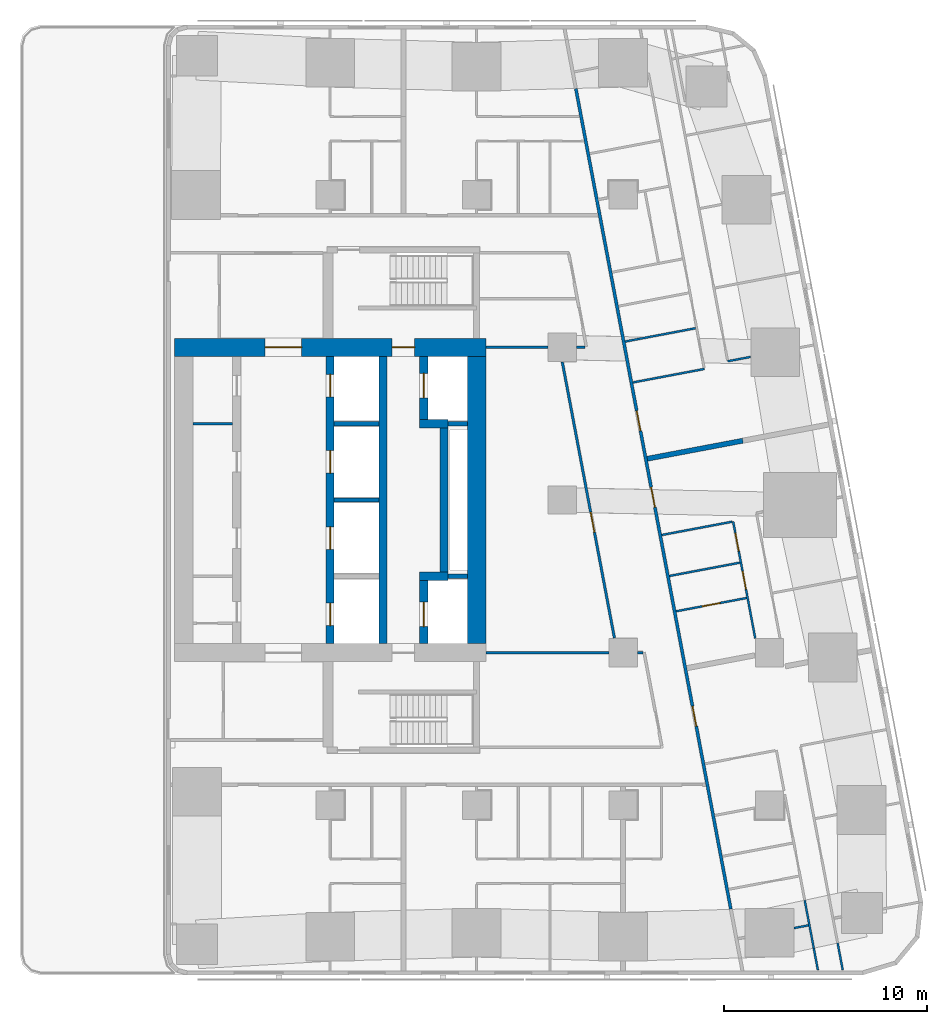
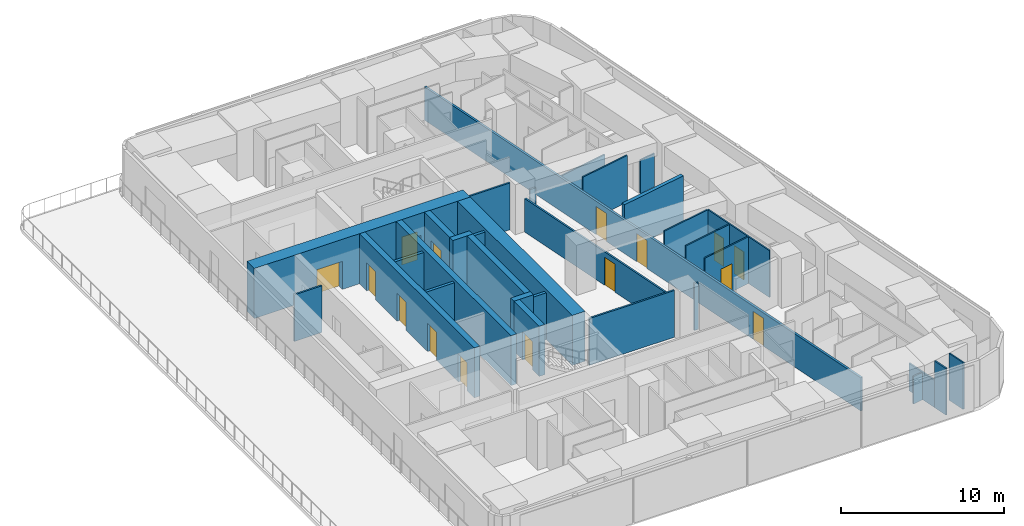
# One storey, part 4 of 11: 32 walls, 15 doors, 15 openings.
"""IFC4 building model written with IfcOpenShell, lengths in metres."""

from ifc_helpers import new_model, si_unit, direction, frame, frame_2d, origin, place, context, subcontext, project, spatial, rectangle, extrude, material, layer, layer_set, type_object, element, fill, save


model = new_model("IFC4")

# Units and contexts
model_context = context("Model", 3, precision=1e-05, world=origin(), true_north=direction((0.0, 1.0)))
body_context = subcontext(model_context, "Body", "Model", "MODEL_VIEW")
ifc_project = project(units=[si_unit("LENGTHUNIT", "METRE"), si_unit("AREAUNIT", "SQUARE_METRE"), si_unit("VOLUMEUNIT", "CUBIC_METRE"), si_unit("PLANEANGLEUNIT", "RADIAN"), si_unit("MASSUNIT", "GRAM", prefix="KILO")], contexts=[model_context])

# Site, building, storey
site_placement = place(None, origin())
site = spatial("IfcSite", under=ifc_project, at=site_placement, CompositionType="ELEMENT")
building_placement = place(site_placement, origin())
building = spatial("IfcBuilding", under=site, at=building_placement, Name="Sheger Commons Tower", CompositionType="ELEMENT")
storey_placement = place(building_placement, frame((0.0, 0.0, 223.699951171875)))
storey = spatial("IfcBuildingStorey", under=building, at=storey_placement, Name="L57", CompositionType="ELEMENT", Elevation=223.699951171875)

# Wall, openings, doors
ifc_material_1 = material(Name="Concrete C50/60", Category="concrete")
ifc_layer_1 = layer(ifc_material_1, 0.39990234375)
ifc_layer_set_1 = layer_set([ifc_layer_1], Name="CORE INNER WALL 400")
wall_type_1 = type_object("IfcWallType", Name="CORE INNER WALL 400", PredefinedType="SHEAR", material=ifc_layer_set_1)
wall_1_placement = place(storey_placement, frame((21.60009765625, 15.449951171875, 0.0), z_axis=(0.0, 0.0, 1.0), x_axis=(0.0, 1.0, 0.0)))
wall_1 = element("IfcWall", 1, at=wall_1_placement, inside=storey, type_object=wall_type_1, Name="Core inner wall L L57", PredefinedType="SHEAR", context=body_context, shape_type="SweptSolid", body=[
    extrude(rectangle(XDim=14.10009765625, YDim=0.39990234375, at=frame_2d((7.050048828125, 0.0))), origin(), (0.0, 0.0, 1.0), 3.75),
])
opening_1_placement = place(wall_1_placement, frame((0.875, 0.0, 0.0)))
opening_1 = element("IfcOpeningElement", 2, at=opening_1_placement, cuts=wall_1, Name="Opening LD", PredefinedType="OPENING", context=body_context, shape_type="SweptSolid", body=[
    extrude(rectangle(XDim=1.10009765625, YDim=2.10009765625, at=frame_2d((0.550048828125, 1.050048828125))), frame((0.0, 0.2099609375, 0.0), z_axis=(0.0, -1.0, 0.0), x_axis=(1.0, 0.0, 0.0)), (0.0, 0.0, 1.0), 0.419921875),
])
opening_2_placement = place(wall_1_placement, frame((4.625, 0.0, 0.0)))
opening_2 = element("IfcOpeningElement", 3, at=opening_2_placement, cuts=wall_1, Name="Opening LD", PredefinedType="OPENING", context=body_context, shape_type="SweptSolid", body=[
    extrude(rectangle(XDim=1.10009765625, YDim=2.10009765625, at=frame_2d((0.550048828125, 1.050048828125))), frame((0.0, 0.2099609375, 0.0), z_axis=(0.0, -1.0, 0.0), x_axis=(1.0, 0.0, 0.0)), (0.0, 0.0, 1.0), 0.419921875),
])
opening_3_placement = place(wall_1_placement, frame((8.375, 0.0, 0.0)))
opening_3 = element("IfcOpeningElement", 4, at=opening_3_placement, cuts=wall_1, Name="Opening LD", PredefinedType="OPENING", context=body_context, shape_type="SweptSolid", body=[
    extrude(rectangle(XDim=1.10009765625, YDim=2.10009765625, at=frame_2d((0.550048828125, 1.050048828125))), frame((0.0, 0.2099609375, 0.0), z_axis=(0.0, -1.0, 0.0), x_axis=(1.0, 0.0, 0.0)), (0.0, 0.0, 1.0), 0.419921875),
])
opening_4_placement = place(wall_1_placement, frame((12.125, 0.0, 0.0)))
opening_4 = element("IfcOpeningElement", 5, at=opening_4_placement, cuts=wall_1, Name="Opening LD", PredefinedType="OPENING", context=body_context, shape_type="SweptSolid", body=[
    extrude(rectangle(XDim=1.10009765625, YDim=2.10009765625, at=frame_2d((0.550048828125, 1.050048828125))), frame((0.0, 0.2099609375, 0.0), z_axis=(0.0, -1.0, 0.0), x_axis=(1.0, 0.0, 0.0)), (0.0, 0.0, 1.0), 0.419921875),
])
ifc_material_2 = material(Name="Steel door set, fire rated", Category="steel")
door_type_1 = type_object("IfcDoorType", Name="LIFT LANDING DOOR 1100x2100", OperationType="DOUBLE_DOOR_SLIDING", PredefinedType="DOOR", material=ifc_material_2)
door_1_placement = place(opening_1_placement, origin())
door_1 = element("IfcDoor", 6, at=door_1_placement, inside=storey, type_object=door_type_1, Name="Lift LB1 landing door", OperationType="DOUBLE_DOOR_SLIDING", OverallHeight=2.10009765625, OverallWidth=1.10009765625, PredefinedType="DOOR", context=body_context, shape_type="SweptSolid", body=[
    extrude(rectangle(XDim=1.10009765625, YDim=2.10009765625, at=frame_2d((0.550048828125, 1.050048828125))), frame((0.0, 0.02490234375, 0.0), z_axis=(0.0, -1.0, 0.0), x_axis=(1.0, 0.0, 0.0)), (0.0, 0.0, 1.0), 0.050048828125),
])
fill(opening_1, door_1)
door_2_placement = place(opening_2_placement, origin())
door_2 = element("IfcDoor", 7, at=door_2_placement, inside=storey, type_object=door_type_1, Name="Lift LB2 landing door", OperationType="DOUBLE_DOOR_SLIDING", OverallHeight=2.10009765625, OverallWidth=1.10009765625, PredefinedType="DOOR", context=body_context, shape_type="SweptSolid", body=[
    extrude(rectangle(XDim=1.10009765625, YDim=2.10009765625, at=frame_2d((0.550048828125, 1.050048828125))), frame((0.0, 0.02490234375, 0.0), z_axis=(0.0, -1.0, 0.0), x_axis=(1.0, 0.0, 0.0)), (0.0, 0.0, 1.0), 0.050048828125),
])
fill(opening_2, door_2)
door_3_placement = place(opening_3_placement, origin())
door_3 = element("IfcDoor", 8, at=door_3_placement, inside=storey, type_object=door_type_1, Name="Lift LB3 landing door", OperationType="DOUBLE_DOOR_SLIDING", OverallHeight=2.10009765625, OverallWidth=1.10009765625, PredefinedType="DOOR", context=body_context, shape_type="SweptSolid", body=[
    extrude(rectangle(XDim=1.10009765625, YDim=2.10009765625, at=frame_2d((0.550048828125, 1.050048828125))), frame((0.0, 0.02490234375, 0.0), z_axis=(0.0, -1.0, 0.0), x_axis=(1.0, 0.0, 0.0)), (0.0, 0.0, 1.0), 0.050048828125),
])
fill(opening_3, door_3)
door_4_placement = place(opening_4_placement, origin())
door_4 = element("IfcDoor", 9, at=door_4_placement, inside=storey, type_object=door_type_1, Name="Lift LB4 landing door", OperationType="DOUBLE_DOOR_SLIDING", OverallHeight=2.10009765625, OverallWidth=1.10009765625, PredefinedType="DOOR", context=body_context, shape_type="SweptSolid", body=[
    extrude(rectangle(XDim=1.10009765625, YDim=2.10009765625, at=frame_2d((0.550048828125, 1.050048828125))), frame((0.0, 0.02490234375, 0.0), z_axis=(0.0, -1.0, 0.0), x_axis=(1.0, 0.0, 0.0)), (0.0, 0.0, 1.0), 0.050048828125),
])
fill(opening_4, door_4)

# Wall
wall_2_placement = place(storey_placement, frame((24.199951171875, 15.449951171875, 0.0), z_axis=(0.0, 0.0, 1.0), x_axis=(0.0, 1.0, 0.0)))
element("IfcWall", 10, at=wall_2_placement, inside=storey, type_object=wall_type_1, Name="Core inner wall B L57", PredefinedType="SHEAR", context=body_context, shape_type="SweptSolid", body=[
    extrude(rectangle(XDim=14.10009765625, YDim=0.39990234375, at=frame_2d((7.050048828125, 0.0))), origin(), (0.0, 0.0, 1.0), 3.75),
])

# Wall, opening, door
wall_3_placement = place(storey_placement, frame((26.199951171875, 15.449951171875, 0.0), z_axis=(0.0, 0.0, 1.0), x_axis=(0.0, 1.0, 0.0)))
wall_3 = element("IfcWall", 11, at=wall_3_placement, inside=storey, type_object=wall_type_1, Name="Core inner wall F L57", PredefinedType="SHEAR", context=body_context, shape_type="SweptSolid", body=[
    extrude(rectangle(XDim=3.10009765625, YDim=0.39990234375, at=frame_2d((1.550048828125, 0.0))), origin(), (0.0, 0.0, 1.0), 3.75),
])
opening_5_placement = place(wall_3_placement, frame((0.824951171875, 0.0, 0.0)))
opening_5 = element("IfcOpeningElement", 12, at=opening_5_placement, cuts=wall_3, Name="Opening LD2", PredefinedType="OPENING", context=body_context, shape_type="SweptSolid", body=[
    extrude(rectangle(XDim=1.199951171875, YDim=2.10009765625, at=frame_2d((0.60009765625, 1.050048828125))), frame((0.0, 0.2099609375, 0.0), z_axis=(0.0, -1.0, 0.0), x_axis=(1.0, 0.0, 0.0)), (0.0, 0.0, 1.0), 0.419921875),
])
ifc_material_3 = material(Name="Steel door set, fire rated", Category="steel")
door_type_2 = type_object("IfcDoorType", Name="FIREFIGHTING LIFT LANDING DOOR 1200x2100", OperationType="DOUBLE_DOOR_SLIDING", PredefinedType="DOOR", material=ifc_material_3)
door_5_placement = place(opening_5_placement, origin())
door_5 = element("IfcDoor", 13, at=door_5_placement, inside=storey, type_object=door_type_2, Name="Lift FL1 landing door", OperationType="DOUBLE_DOOR_SLIDING", OverallHeight=2.10009765625, OverallWidth=1.199951171875, PredefinedType="DOOR", context=body_context, shape_type="SweptSolid", body=[
    extrude(rectangle(XDim=1.199951171875, YDim=2.10009765625, at=frame_2d((0.60009765625, 1.050048828125))), frame((0.0, 0.02490234375, 0.0), z_axis=(0.0, -1.0, 0.0), x_axis=(1.0, 0.0, 0.0)), (0.0, 0.0, 1.0), 0.050048828125),
])
fill(opening_5, door_5)

# Walls
wall_4_placement = place(storey_placement, frame((26.0, 18.75, 0.0), z_axis=(0.0, 0.0, 1.0), x_axis=(1.0, 0.0, 0.0)))
element("IfcWall", 14, at=wall_4_placement, inside=storey, type_object=wall_type_1, Name="Core inner wall F south return L57", PredefinedType="SHEAR", context=body_context, shape_type="SweptSolid", body=[
    extrude(rectangle(XDim=1.39990234375, YDim=0.39990234375, at=frame_2d((0.699951171875, 0.0))), origin(), (0.0, 0.0, 1.0), 3.75),
])
wall_5_placement = place(storey_placement, frame((27.199951171875, 18.949951171875, 0.0), z_axis=(0.0, 0.0, 1.0), x_axis=(0.0, 1.0, 0.0)))
element("IfcWall", 15, at=wall_5_placement, inside=storey, type_object=wall_type_1, Name="Core inner wall F middle L57", PredefinedType="SHEAR", context=body_context, shape_type="SweptSolid", body=[
    extrude(rectangle(XDim=7.10009765625, YDim=0.39990234375, at=frame_2d((3.550048828125, 0.0))), origin(), (0.0, 0.0, 1.0), 3.75),
])
wall_6_placement = place(storey_placement, frame((26.0, 26.25, 0.0), z_axis=(0.0, 0.0, 1.0), x_axis=(1.0, 0.0, 0.0)))
element("IfcWall", 16, at=wall_6_placement, inside=storey, type_object=wall_type_1, Name="Core inner wall F north return L57", PredefinedType="SHEAR", context=body_context, shape_type="SweptSolid", body=[
    extrude(rectangle(XDim=1.39990234375, YDim=0.39990234375, at=frame_2d((0.699951171875, 0.0))), origin(), (0.0, 0.0, 1.0), 3.75),
])

# Wall, opening, door
wall_7_placement = place(storey_placement, frame((26.199951171875, 26.449951171875, 0.0), z_axis=(0.0, 0.0, 1.0), x_axis=(0.0, 1.0, 0.0)))
wall_7 = element("IfcWall", 17, at=wall_7_placement, inside=storey, type_object=wall_type_1, Name="Core inner wall F north L57", PredefinedType="SHEAR", context=body_context, shape_type="SweptSolid", body=[
    extrude(rectangle(XDim=3.10009765625, YDim=0.39990234375, at=frame_2d((1.550048828125, 0.0))), origin(), (0.0, 0.0, 1.0), 3.75),
])
opening_6_placement = place(wall_7_placement, frame((1.074951171875, 0.0, 0.0)))
opening_6 = element("IfcOpeningElement", 18, at=opening_6_placement, cuts=wall_7, Name="Opening LD2", PredefinedType="OPENING", context=body_context, shape_type="SweptSolid", body=[
    extrude(rectangle(XDim=1.199951171875, YDim=2.10009765625, at=frame_2d((0.60009765625, 1.050048828125))), frame((0.0, 0.2099609375, 0.0), z_axis=(0.0, -1.0, 0.0), x_axis=(1.0, 0.0, 0.0)), (0.0, 0.0, 1.0), 0.419921875),
])
door_6_placement = place(opening_6_placement, origin())
door_6 = element("IfcDoor", 19, at=door_6_placement, inside=storey, type_object=door_type_2, Name="Lift FL2 landing door", OperationType="DOUBLE_DOOR_SLIDING", OverallHeight=2.10009765625, OverallWidth=1.199951171875, PredefinedType="DOOR", context=body_context, shape_type="SweptSolid", body=[
    extrude(rectangle(XDim=1.199951171875, YDim=2.10009765625, at=frame_2d((0.60009765625, 1.050048828125))), frame((0.0, 0.02490234375, 0.0), z_axis=(0.0, -1.0, 0.0), x_axis=(1.0, 0.0, 0.0)), (0.0, 0.0, 1.0), 0.050048828125),
])
fill(opening_6, door_6)

# Wall, openings, doors
ifc_material_4 = material(Name="Concrete C50/60", Category="concrete")
ifc_layer_2 = layer(ifc_material_4, 0.89990234375)
ifc_layer_set_2 = layer_set([ifc_layer_2], Name="CORE WALL 900")
wall_type_2 = type_object("IfcWallType", Name="CORE WALL 900", PredefinedType="SHEAR", material=ifc_layer_set_2)
wall_8_placement = place(storey_placement, frame((13.949951171875, 30.0, 0.0), z_axis=(0.0, 0.0, 1.0), x_axis=(1.0, 0.0, 0.0)))
wall_8 = element("IfcWall", 20, at=wall_8_placement, inside=storey, type_object=wall_type_2, Name="Core wall north L57", PredefinedType="SHEAR", context=body_context, shape_type="SweptSolid", body=[
    extrude(rectangle(XDim=15.300048828125, YDim=0.89990234375, at=frame_2d((7.64990234375, 0.0))), origin(), (0.0, 0.0, 1.0), 3.75),
])
opening_7_placement = place(wall_8_placement, frame((4.449951171875, 0.0, 0.0)))
opening_7 = element("IfcOpeningElement", 21, at=opening_7_placement, cuts=wall_8, Name="Opening D6", PredefinedType="OPENING", context=body_context, shape_type="SweptSolid", body=[
    extrude(rectangle(XDim=1.800048828125, YDim=2.10009765625, at=frame_2d((0.89990234375, 1.050048828125))), frame((0.0, 0.4599609375, 0.0), z_axis=(0.0, -1.0, 0.0), x_axis=(1.0, 0.0, 0.0)), (0.0, 0.0, 1.0), 0.919921875),
])
opening_8_placement = place(wall_8_placement, frame((10.699951171875, 0.0, 0.0)))
opening_8 = element("IfcOpeningElement", 22, at=opening_8_placement, cuts=wall_8, Name="Opening D5", PredefinedType="OPENING", context=body_context, shape_type="SweptSolid", body=[
    extrude(rectangle(XDim=1.10009765625, YDim=2.10009765625, at=frame_2d((0.550048828125, 1.050048828125))), frame((0.0, 0.4599609375, 0.0), z_axis=(0.0, -1.0, 0.0), x_axis=(1.0, 0.0, 0.0)), (0.0, 0.0, 1.0), 0.919921875),
])
ifc_material_5 = material(Name="Steel door set, fire rated", Category="steel")
door_type_3 = type_object("IfcDoorType", Name="LOBBY DOUBLE DOOR 1800x2100", OperationType="DOUBLE_DOOR_SINGLE_SWING", PredefinedType="DOOR", material=ifc_material_5)
door_7_placement = place(opening_7_placement, origin())
door_7 = element("IfcDoor", 23, at=door_7_placement, inside=storey, type_object=door_type_3, Name="Lift lobby door", OperationType="DOUBLE_DOOR_SINGLE_SWING", OverallHeight=2.10009765625, OverallWidth=1.800048828125, PredefinedType="DOOR", context=body_context, shape_type="SweptSolid", body=[
    extrude(rectangle(XDim=1.800048828125, YDim=2.10009765625, at=frame_2d((0.89990234375, 1.050048828125))), frame((0.0, 0.02490234375, 0.0), z_axis=(0.0, -1.0, 0.0), x_axis=(1.0, 0.0, 0.0)), (0.0, 0.0, 1.0), 0.050048828125),
])
fill(opening_7, door_7)
ifc_material_6 = material(Name="Steel door set, fire rated", Category="steel")
door_type_4 = type_object("IfcDoorType", Name="STAIR DOOR 1100x2100", OperationType="NOTDEFINED", PredefinedType="DOOR", material=ifc_material_6)
door_8_placement = place(opening_8_placement, origin())
door_8 = element("IfcDoor", 24, at=door_8_placement, inside=storey, type_object=door_type_4, Name="Fire-fighting lobby door", OperationType="SINGLE_SWING_LEFT", OverallHeight=2.10009765625, OverallWidth=1.10009765625, PredefinedType="DOOR", context=body_context, shape_type="SweptSolid", body=[
    extrude(rectangle(XDim=1.10009765625, YDim=2.10009765625, at=frame_2d((0.550048828125, 1.050048828125))), frame((0.0, 0.02490234375, 0.0), z_axis=(0.0, -1.0, 0.0), x_axis=(1.0, 0.0, 0.0)), (0.0, 0.0, 1.0), 0.050048828125),
])
fill(opening_8, door_8)

# Wall
wall_9_placement = place(storey_placement, frame((28.800048828125, 15.449951171875, 0.0), z_axis=(0.0, 0.0, 1.0), x_axis=(0.0, 1.0, 0.0)))
element("IfcWall", 25, at=wall_9_placement, inside=storey, type_object=wall_type_2, Name="Core wall east L57", PredefinedType="SHEAR", context=body_context, shape_type="SweptSolid", body=[
    extrude(rectangle(XDim=14.10009765625, YDim=0.89990234375, at=frame_2d((7.050048828125, 0.0))), origin(), (0.0, 0.0, 1.0), 3.75),
])

# Wall, openings, doors
ifc_material_7 = material(Name="Hollow concrete block masonry, skimmed both sides", Category="masonry")
ifc_layer_3 = layer(ifc_material_7, 0.14990234375)
ifc_layer_set_3 = layer_set([ifc_layer_3], Name="CORRIDOR WALL 150")
wall_type_3 = type_object("IfcWallType", Name="CORRIDOR WALL 150", PredefinedType="SOLIDWALL", material=ifc_layer_set_3)
wall_10_placement = place(storey_placement, frame((33.679931640625, 42.722900390625, 0.0), z_axis=(0.0, 0.0, 1.0), x_axis=(0.185601160014, -0.982625162207, 0.0)))
wall_10 = element("IfcWall", 26, at=wall_10_placement, inside=storey, type_object=wall_type_3, Name="Corridor wall L57", PredefinedType="SOLIDWALL", context=body_context, shape_type="SweptSolid", body=[
    extrude(rectangle(XDim=41.05126953125, YDim=0.14990234375, at=frame_2d((20.525634765625, 0.0))), origin(), (0.0, 0.0, 1.0), 2.5),
])
opening_9_placement = place(wall_10_placement, frame((16.123046875, 0.0, 0.0)))
opening_9 = element("IfcOpeningElement", 27, at=opening_9_placement, cuts=wall_10, Name="Opening D1", PredefinedType="OPENING", context=body_context, shape_type="SweptSolid", body=[
    extrude(rectangle(XDim=1.0, YDim=2.10009765625, at=frame_2d((0.5, 1.050048828125))), frame((0.0, 0.0849609375, 0.0), z_axis=(0.0, -1.0, 0.0), x_axis=(1.0, 0.0, 0.0)), (0.0, 0.0, 1.0), 0.169921875),
])
opening_10_placement = place(wall_10_placement, frame((19.93798828125, 0.0, 0.0)))
opening_10 = element("IfcOpeningElement", 28, at=opening_10_placement, cuts=wall_10, Name="Opening D1", PredefinedType="OPENING", context=body_context, shape_type="SweptSolid", body=[
    extrude(rectangle(XDim=1.0, YDim=2.10009765625, at=frame_2d((0.5, 1.050048828125))), frame((0.0, 0.0849609375, 0.0), z_axis=(0.0, -1.0, 0.0), x_axis=(1.0, 0.0, 0.0)), (0.0, 0.0, 1.0), 0.169921875),
])
opening_11_placement = place(wall_10_placement, frame((30.902099609375, 0.0, 0.0)))
opening_11 = element("IfcOpeningElement", 29, at=opening_11_placement, cuts=wall_10, Name="Opening D1", PredefinedType="OPENING", context=body_context, shape_type="SweptSolid", body=[
    extrude(rectangle(XDim=1.0, YDim=2.10009765625, at=frame_2d((0.5, 1.050048828125))), frame((0.0, 0.0849609375, 0.0), z_axis=(0.0, -1.0, 0.0), x_axis=(1.0, 0.0, 0.0)), (0.0, 0.0, 1.0), 0.169921875),
])
ifc_material_8 = material(Name="Steel door set, fire rated", Category="steel")
door_type_5 = type_object("IfcDoorType", Name="FLAT ENTRANCE DOOR 1000x2100", OperationType="NOTDEFINED", PredefinedType="DOOR", material=ifc_material_8)
door_9_placement = place(opening_9_placement, origin())
door_9 = element("IfcDoor", 30, at=door_9_placement, inside=storey, type_object=door_type_5, Name="Flat entrance door", OperationType="SINGLE_SWING_LEFT", OverallHeight=2.10009765625, OverallWidth=1.0, PredefinedType="DOOR", context=body_context, shape_type="SweptSolid", body=[
    extrude(rectangle(XDim=1.0, YDim=2.10009765625, at=frame_2d((0.5, 1.050048828125))), frame((0.0, 0.02490234375, 0.0), z_axis=(0.0, -1.0, 0.0), x_axis=(1.0, 0.0, 0.0)), (0.0, 0.0, 1.0), 0.050048828125),
])
fill(opening_9, door_9)
door_10_placement = place(opening_10_placement, origin())
door_10 = element("IfcDoor", 31, at=door_10_placement, inside=storey, type_object=door_type_5, Name="Flat entrance door", OperationType="SINGLE_SWING_RIGHT", OverallHeight=2.10009765625, OverallWidth=1.0, PredefinedType="DOOR", context=body_context, shape_type="SweptSolid", body=[
    extrude(rectangle(XDim=1.0, YDim=2.10009765625, at=frame_2d((0.5, 1.050048828125))), frame((0.0, 0.02490234375, 0.0), z_axis=(0.0, -1.0, 0.0), x_axis=(1.0, 0.0, 0.0)), (0.0, 0.0, 1.0), 0.050048828125),
])
fill(opening_10, door_10)
door_11_placement = place(opening_11_placement, origin())
door_11 = element("IfcDoor", 32, at=door_11_placement, inside=storey, type_object=door_type_5, Name="Flat entrance door", OperationType="SINGLE_SWING_LEFT", OverallHeight=2.10009765625, OverallWidth=1.0, PredefinedType="DOOR", context=body_context, shape_type="SweptSolid", body=[
    extrude(rectangle(XDim=1.0, YDim=2.10009765625, at=frame_2d((0.5, 1.050048828125))), frame((0.0, 0.02490234375, 0.0), z_axis=(0.0, -1.0, 0.0), x_axis=(1.0, 0.0, 0.0)), (0.0, 0.0, 1.0), 0.050048828125),
])
fill(opening_11, door_11)

# Walls
ifc_material_9 = material(Name="Dense concrete block masonry, plastered both sides (separating wall between flats)", Category="masonry")
ifc_layer_4 = layer(ifc_material_9, 0.25)
ifc_layer_set_4 = layer_set([ifc_layer_4], Name="DEMISING WALL 250")
wall_type_4 = type_object("IfcWallType", Name="DEMISING WALL 250", PredefinedType="SOLIDWALL", material=ifc_layer_set_4)
wall_11_placement = place(storey_placement, frame((41.885009765625, 25.4150390625, 0.0), z_axis=(0.0, 0.0, 1.0), x_axis=(-0.982596737686, -0.185751584349, 0.0)))
element("IfcWall", 33, at=wall_11_placement, inside=storey, type_object=wall_type_4, Name="Demising wall L57", PredefinedType="SOLIDWALL", context=body_context, shape_type="SweptSolid", body=[
    extrude(rectangle(XDim=4.77490234375, YDim=0.25, at=frame_2d((2.387451171875, 0.0))), origin(), (0.0, 0.0, 1.0), 3.5),
])
ifc_material_10 = material(Name="Gypsum board on steel studs", Category="steel")
ifc_layer_5 = layer(ifc_material_10, 0.10009765625)
ifc_layer_set_5 = layer_set([ifc_layer_5], Name="PARTITION 100")
wall_type_5 = type_object("IfcWallType", Name="PARTITION 100", PredefinedType="PARTITIONING", material=ifc_layer_set_5)
wall_12_placement = place(storey_placement, frame((42.27001953125, 29.534912109375, 0.0), z_axis=(0.0, 0.0, 1.0), x_axis=(-0.982502700549, -0.186248338017, 0.0)))
element("IfcWall", 34, at=wall_12_placement, inside=storey, type_object=wall_type_5, Name="Partition L57", PredefinedType="PARTITIONING", context=body_context, shape_type="SweptSolid", body=[
    extrude(rectangle(XDim=1.14306640625, YDim=0.10009765625, at=frame_2d((0.571533203125, 0.0))), origin(), (0.0, 0.0, 1.0), 2.5),
])
wall_13_placement = place(storey_placement, frame((39.9970703125, 28.94189453125, 0.0), z_axis=(0.0, 0.0, 1.0), x_axis=(-0.982613029841, -0.185665380691, 0.0)))
element("IfcWall", 35, at=wall_13_placement, inside=storey, type_object=wall_type_5, Name="Partition L57", PredefinedType="PARTITIONING", context=body_context, shape_type="SweptSolid", body=[
    extrude(rectangle(XDim=3.575439453125, YDim=0.10009765625, at=frame_2d((1.78759765625, 0.0))), origin(), (0.0, 0.0, 1.0), 3.5),
])
wall_14_placement = place(storey_placement, frame((39.56689453125, 30.947021484375, 0.0), z_axis=(0.0, 0.0, 1.0), x_axis=(-0.982576058723, -0.185860939478, 0.0)))
element("IfcWall", 36, at=wall_14_placement, inside=storey, type_object=wall_type_5, Name="Partition L57", PredefinedType="PARTITIONING", context=body_context, shape_type="SweptSolid", body=[
    extrude(rectangle(XDim=3.5244140625, YDim=0.10009765625, at=frame_2d((1.76220703125, 0.0))), origin(), (0.0, 0.0, 1.0), 2.5),
])

# Wall, openings, doors
wall_15_placement = place(storey_placement, frame((41.4140625, 21.44189453125, 0.0), z_axis=(0.0, 0.0, 1.0), x_axis=(0.185698675093, -0.982606738257, 0.0)))
wall_15 = element("IfcWall", 37, at=wall_15_placement, inside=storey, type_object=wall_type_5, Name="Partition L57", PredefinedType="PARTITIONING", context=body_context, shape_type="SweptSolid", body=[
    extrude(rectangle(XDim=5.842529296875, YDim=0.10009765625, at=frame_2d((2.92138671875, 0.0))), origin(), (0.0, 0.0, 1.0), 3.5),
])
opening_12_placement = place(wall_15_placement, frame((0.574951171875, 0.0, 0.0)))
opening_12 = element("IfcOpeningElement", 38, at=opening_12_placement, cuts=wall_15, Name="Opening D2", PredefinedType="OPENING", context=body_context, shape_type="SweptSolid", body=[
    extrude(rectangle(XDim=0.89990234375, YDim=2.10009765625, at=frame_2d((0.449951171875, 1.050048828125))), frame((0.0, 0.06005859375, 0.0), z_axis=(0.0, -1.0, 0.0), x_axis=(1.0, 0.0, 0.0)), (0.0, 0.0, 1.0), 0.1201171875),
])
opening_13_placement = place(wall_15_placement, frame((2.48291015625, 0.0, 0.0)))
opening_13 = element("IfcOpeningElement", 39, at=opening_13_placement, cuts=wall_15, Name="Opening D2", PredefinedType="OPENING", context=body_context, shape_type="SweptSolid", body=[
    extrude(rectangle(XDim=0.89990234375, YDim=2.10009765625, at=frame_2d((0.449951171875, 1.050048828125))), frame((0.0, 0.06005859375, 0.0), z_axis=(0.0, -1.0, 0.0), x_axis=(1.0, 0.0, 0.0)), (0.0, 0.0, 1.0), 0.1201171875),
])
ifc_material_11 = material(Name="Timber door set", Category="wood")
door_type_6 = type_object("IfcDoorType", Name="INTERNAL DOOR 900x2100", OperationType="NOTDEFINED", PredefinedType="DOOR", material=ifc_material_11)
door_12_placement = place(opening_12_placement, origin())
door_12 = element("IfcDoor", 40, at=door_12_placement, inside=storey, type_object=door_type_6, Name="Bathroom door", OperationType="SINGLE_SWING_RIGHT", OverallHeight=2.10009765625, OverallWidth=0.89990234375, PredefinedType="DOOR", context=body_context, shape_type="SweptSolid", body=[
    extrude(rectangle(XDim=0.89990234375, YDim=2.10009765625, at=frame_2d((0.449951171875, 1.050048828125))), frame((0.0, 0.02490234375, 0.0), z_axis=(0.0, -1.0, 0.0), x_axis=(1.0, 0.0, 0.0)), (0.0, 0.0, 1.0), 0.050048828125),
])
fill(opening_12, door_12)
door_13_placement = place(opening_13_placement, origin())
door_13 = element("IfcDoor", 41, at=door_13_placement, inside=storey, type_object=door_type_6, Name="Store door", OperationType="SINGLE_SWING_RIGHT", OverallHeight=2.10009765625, OverallWidth=0.89990234375, PredefinedType="DOOR", context=body_context, shape_type="SweptSolid", body=[
    extrude(rectangle(XDim=0.89990234375, YDim=2.10009765625, at=frame_2d((0.449951171875, 1.050048828125))), frame((0.0, 0.02490234375, 0.0), z_axis=(0.0, -1.0, 0.0), x_axis=(1.0, 0.0, 0.0)), (0.0, 0.0, 1.0), 0.050048828125),
])
fill(opening_13, door_13)

# Wall
wall_16_placement = place(storey_placement, frame((41.364990234375, 21.43310546875, 0.0), z_axis=(0.0, 0.0, 1.0), x_axis=(-0.982638553676, -0.185530247748, 0.0)))
element("IfcWall", 42, at=wall_16_placement, inside=storey, type_object=wall_type_5, Name="Partition L57", PredefinedType="PARTITIONING", context=body_context, shape_type="SweptSolid", body=[
    extrude(rectangle(XDim=3.525390625, YDim=0.10009765625, at=frame_2d((1.7626953125, 0.0))), origin(), (0.0, 0.0, 1.0), 3.5),
])

# Wall, opening, door
wall_17_placement = place(storey_placement, frame((42.072998046875, 17.681884765625, 0.0), z_axis=(0.0, 0.0, 1.0), x_axis=(-0.98265117712, -0.185463376723, 0.0)))
wall_17 = element("IfcWall", 43, at=wall_17_placement, inside=storey, type_object=wall_type_5, Name="Partition L57", PredefinedType="PARTITIONING", context=body_context, shape_type="SweptSolid", body=[
    extrude(rectangle(XDim=3.525390625, YDim=0.10009765625, at=frame_2d((1.7626953125, 0.0))), origin(), (0.0, 0.0, 1.0), 3.5),
])
opening_14_placement = place(wall_17_placement, frame((1.324951171875, 0.0, 0.0)))
opening_14 = element("IfcOpeningElement", 44, at=opening_14_placement, cuts=wall_17, Name="Opening D2", PredefinedType="OPENING", context=body_context, shape_type="SweptSolid", body=[
    extrude(rectangle(XDim=0.89990234375, YDim=2.10009765625, at=frame_2d((0.449951171875, 1.050048828125))), frame((0.0, 0.06005859375, 0.0), z_axis=(0.0, -1.0, 0.0), x_axis=(1.0, 0.0, 0.0)), (0.0, 0.0, 1.0), 0.1201171875),
])
door_14_placement = place(opening_14_placement, origin())
door_14 = element("IfcDoor", 45, at=door_14_placement, inside=storey, type_object=door_type_6, Name="Store door", OperationType="SINGLE_SWING_RIGHT", OverallHeight=2.10009765625, OverallWidth=0.89990234375, PredefinedType="DOOR", context=body_context, shape_type="SweptSolid", body=[
    extrude(rectangle(XDim=0.89990234375, YDim=2.10009765625, at=frame_2d((0.449951171875, 1.050048828125))), frame((0.0, 0.02490234375, 0.0), z_axis=(0.0, -1.0, 0.0), x_axis=(1.0, 0.0, 0.0)), (0.0, 0.0, 1.0), 0.050048828125),
])
fill(opening_14, door_14)

# Walls
wall_18_placement = place(storey_placement, frame((41.7451171875, 19.41796875, 0.0), z_axis=(0.0, 0.0, 1.0), x_axis=(-0.982638553676, -0.185530247748, 0.0)))
element("IfcWall", 46, at=wall_18_placement, inside=storey, type_object=wall_type_5, Name="Partition L57", PredefinedType="PARTITIONING", context=body_context, shape_type="SweptSolid", body=[
    extrude(rectangle(XDim=3.525390625, YDim=0.10009765625, at=frame_2d((1.7626953125, 0.0))), origin(), (0.0, 0.0, 1.0), 3.5),
])
wall_19_placement = place(storey_placement, frame((46.551025390625, 0.712890625, 0.0), z_axis=(0.0, 0.0, 1.0), x_axis=(0.185407859198, -0.982661653748, 0.0)))
element("IfcWall", 47, at=wall_19_placement, inside=storey, type_object=wall_type_5, Name="Partition L57", PredefinedType="PARTITIONING", context=body_context, shape_type="SweptSolid", body=[
    extrude(rectangle(XDim=1.343017578125, YDim=0.10009765625, at=frame_2d((0.67138671875, 0.0))), origin(), (0.0, 0.0, 1.0), 3.5),
])
wall_20_placement = place(storey_placement, frame((44.930908203125, 2.822998046875, 0.0), z_axis=(0.0, 0.0, 1.0), x_axis=(0.185631845838, -0.982619365681, 0.0)))
element("IfcWall", 48, at=wall_20_placement, inside=storey, type_object=wall_type_5, Name="Partition L57", PredefinedType="PARTITIONING", context=body_context, shape_type="SweptSolid", body=[
    extrude(rectangle(XDim=2.40283203125, YDim=0.10009765625, at=frame_2d((1.201416015625, 0.0))), origin(), (0.0, 0.0, 1.0), 2.050048828125),
])
wall_21_placement = place(storey_placement, frame((45.376953125, 0.4619140625, 0.0), z_axis=(0.0, 0.0, 1.0), x_axis=(0.185513480919, -0.982641719243, 0.0)))
element("IfcWall", 49, at=wall_21_placement, inside=storey, type_object=wall_type_5, Name="Partition L57", PredefinedType="PARTITIONING", context=body_context, shape_type="SweptSolid", body=[
    extrude(rectangle(XDim=1.094970703125, YDim=0.10009765625, at=frame_2d((0.54736328125, 0.0))), origin(), (0.0, 0.0, 1.0), 3.5),
])
wall_22_placement = place(storey_placement, frame((45.114013671875, 1.5869140625, 0.0), z_axis=(0.0, 0.0, 1.0), x_axis=(-0.982671022916, -0.185358195723, 0.0)))
element("IfcWall", 50, at=wall_22_placement, inside=storey, type_object=wall_type_5, Name="Partition L57", PredefinedType="PARTITIONING", context=body_context, shape_type="SweptSolid", body=[
    extrude(rectangle(XDim=0.716552734375, YDim=0.10009765625, at=frame_2d((0.3583984375, 0.0))), origin(), (0.0, 0.0, 1.0), 2.050048828125),
])

# Wall, opening, door
ifc_material_12 = material(Name="Gypsum board on steel studs, two layers each side, fire rated", Category="steel")
ifc_layer_6 = layer(ifc_material_12, 0.125)
ifc_layer_set_6 = layer_set([ifc_layer_6], Name="SERVICE WALL 125")
wall_type_6 = type_object("IfcWallType", Name="SERVICE WALL 125", PredefinedType="PARTITIONING", material=ifc_layer_set_6)
wall_23_placement = place(storey_placement, frame((35.575927734375, 15.712890625, 0.0), z_axis=(0.0, 0.0, 1.0), x_axis=(-0.185602982696, 0.982624817931, 0.0)))
wall_23 = element("IfcWall", 51, at=wall_23_placement, inside=storey, type_object=wall_type_6, Name="Service room wall L57", PredefinedType="PARTITIONING", context=body_context, shape_type="SweptSolid", body=[
    extrude(rectangle(XDim=13.814208984375, YDim=0.125, at=frame_2d((6.9072265625, 0.0))), origin(), (0.0, 0.0, 1.0), 2.5),
])
opening_15_placement = place(wall_23_placement, frame((5.300048828125, 0.0, 0.0)))
opening_15 = element("IfcOpeningElement", 52, at=opening_15_placement, cuts=wall_23, Name="Opening D4", PredefinedType="OPENING", context=body_context, shape_type="SweptSolid", body=[
    extrude(rectangle(XDim=1.0, YDim=2.10009765625, at=frame_2d((0.5, 1.050048828125))), frame((0.0, 0.072509765625, 0.0), z_axis=(0.0, -1.0, 0.0), x_axis=(1.0, 0.0, 0.0)), (0.0, 0.0, 1.0), 0.14501953125),
])
ifc_material_13 = material(Name="Steel door set, fire rated", Category="steel")
door_type_7 = type_object("IfcDoorType", Name="SERVICE DOOR 1000x2100", OperationType="NOTDEFINED", PredefinedType="DOOR", material=ifc_material_13)
door_15_placement = place(opening_15_placement, origin())
door_15 = element("IfcDoor", 53, at=door_15_placement, inside=storey, type_object=door_type_7, Name="Residents' gym door", OperationType="SINGLE_SWING_LEFT", OverallHeight=2.10009765625, OverallWidth=1.0, PredefinedType="DOOR", context=body_context, shape_type="SweptSolid", body=[
    extrude(rectangle(XDim=1.0, YDim=2.10009765625, at=frame_2d((0.5, 1.050048828125))), frame((0.0, 0.02490234375, 0.0), z_axis=(0.0, -1.0, 0.0), x_axis=(1.0, 0.0, 0.0)), (0.0, 0.0, 1.0), 0.050048828125),
])
fill(opening_15, door_15)

# Walls
wall_24_placement = place(storey_placement, frame((29.25, 15.0, 0.0), z_axis=(0.0, 0.0, 1.0), x_axis=(1.0, 0.0, 0.0)))
element("IfcWall", 54, at=wall_24_placement, inside=storey, type_object=wall_type_6, Name="Service room wall L57", PredefinedType="PARTITIONING", context=body_context, shape_type="SweptSolid", body=[
    extrude(rectangle(XDim=6.049072265625, YDim=0.125, at=frame_2d((3.0244140625, 0.0))), origin(), (0.0, 0.0, 1.0), 3.5),
])
wall_25_placement = place(storey_placement, frame((36.700927734375, 15.0, 0.0), z_axis=(0.0, 0.0, 1.0), x_axis=(1.0, 0.0, 0.0)))
element("IfcWall", 55, at=wall_25_placement, inside=storey, type_object=wall_type_6, Name="Service room wall L57", PredefinedType="PARTITIONING", context=body_context, shape_type="SweptSolid", body=[
    extrude(rectangle(XDim=0.27197265625, YDim=0.125, at=frame_2d((0.135986328125, 0.0))), origin(), (0.0, 0.0, 1.0), 3.5),
])
wall_26_placement = place(storey_placement, frame((29.25, 30.0, 0.0), z_axis=(0.0, 0.0, 1.0), x_axis=(1.0, 0.0, 0.0)))
element("IfcWall", 56, at=wall_26_placement, inside=storey, type_object=wall_type_6, Name="Service room wall L57", PredefinedType="PARTITIONING", context=body_context, shape_type="SweptSolid", body=[
    extrude(rectangle(XDim=3.049072265625, YDim=0.125, at=frame_2d((1.5244140625, 0.0))), origin(), (0.0, 0.0, 1.0), 3.5),
])
wall_27_placement = place(storey_placement, frame((33.700927734375, 30.0, 0.0), z_axis=(0.0, 0.0, 1.0), x_axis=(1.0, 0.0, 0.0)))
element("IfcWall", 57, at=wall_27_placement, inside=storey, type_object=wall_type_6, Name="Service room wall L57", PredefinedType="PARTITIONING", context=body_context, shape_type="SweptSolid", body=[
    extrude(rectangle(XDim=0.424072265625, YDim=0.125, at=frame_2d((0.2119140625, 0.0))), origin(), (0.0, 0.0, 1.0), 2.5),
])
wall_28_placement = place(storey_placement, frame((14.85009765625, 26.25, 0.0), z_axis=(0.0, 0.0, 1.0), x_axis=(1.0, 0.0, 0.0)))
element("IfcWall", 58, at=wall_28_placement, inside=storey, type_object=wall_type_6, Name="Service room wall L57", PredefinedType="PARTITIONING", context=body_context, shape_type="SweptSolid", body=[
    extrude(rectangle(XDim=1.949951171875, YDim=0.125, at=frame_2d((0.97509765625, 0.0))), origin(), (0.0, 0.0, 1.0), 3.5),
])
ifc_material_14 = material(Name="Hollow concrete block masonry", Category="masonry")
ifc_layer_7 = layer(ifc_material_14, 0.199951171875)
ifc_layer_set_7 = layer_set([ifc_layer_7], Name="SHAFT WALL 200")
wall_type_7 = type_object("IfcWallType", Name="SHAFT WALL 200", PredefinedType="SOLIDWALL", material=ifc_layer_set_7)
for number, where, z_axis, x_axis, name in (
    (59, (21.800048828125, 22.5, 0.0), (0.0, 0.0, 1.0), (1.0, 0.0, 0.0), "Lift shaft wall L57"),
    (60, (21.800048828125, 26.25, 0.0), (0.0, 0.0, 1.0), (1.0, 0.0, 0.0), "Lift shaft wall L57"),
):
    element("IfcWall", number, at=place(storey_placement, frame(where, z_axis=z_axis, x_axis=x_axis)), inside=storey, type_object=wall_type_7, Name=name, PredefinedType="SOLIDWALL", context=body_context, shape_type="SweptSolid", body=[
        extrude(rectangle(XDim=2.199951171875, YDim=0.199951171875, at=frame_2d((1.10009765625, 0.0))), origin(), (0.0, 0.0, 1.0), 3.5),
    ])
for number, where, z_axis, x_axis, name in (
    (61, (27.39990234375, 18.75, 0.0), (0.0, 0.0, 1.0), (1.0, 0.0, 0.0), "Lift shaft wall L57"),
    (62, (27.39990234375, 26.25, 0.0), (0.0, 0.0, 1.0), (1.0, 0.0, 0.0), "Lift shaft wall L57"),
):
    element("IfcWall", number, at=place(storey_placement, frame(where, z_axis=z_axis, x_axis=x_axis)), inside=storey, type_object=wall_type_7, Name=name, PredefinedType="SOLIDWALL", context=body_context, shape_type="SweptSolid", body=[
        extrude(rectangle(XDim=0.9501953125, YDim=0.199951171875, at=frame_2d((0.47509765625, 0.0))), origin(), (0.0, 0.0, 1.0), 3.5),
    ])

save(model, "model.ifc")
